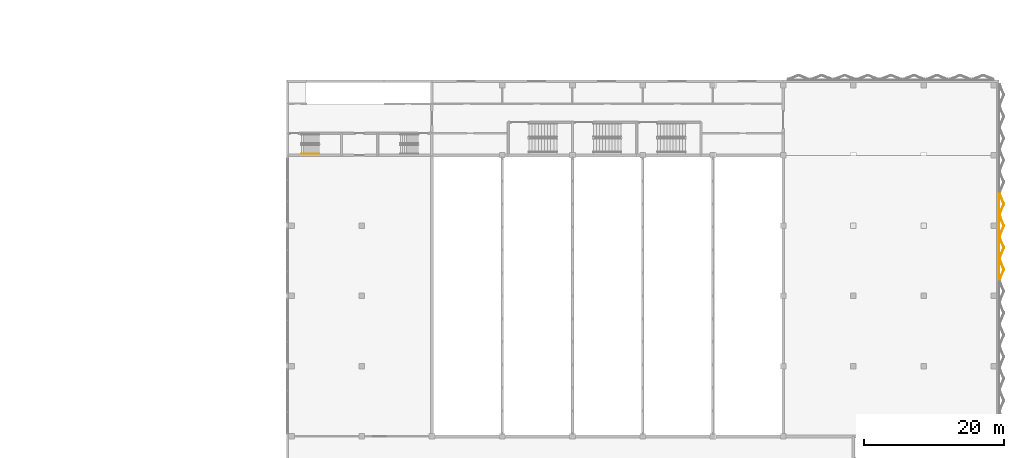
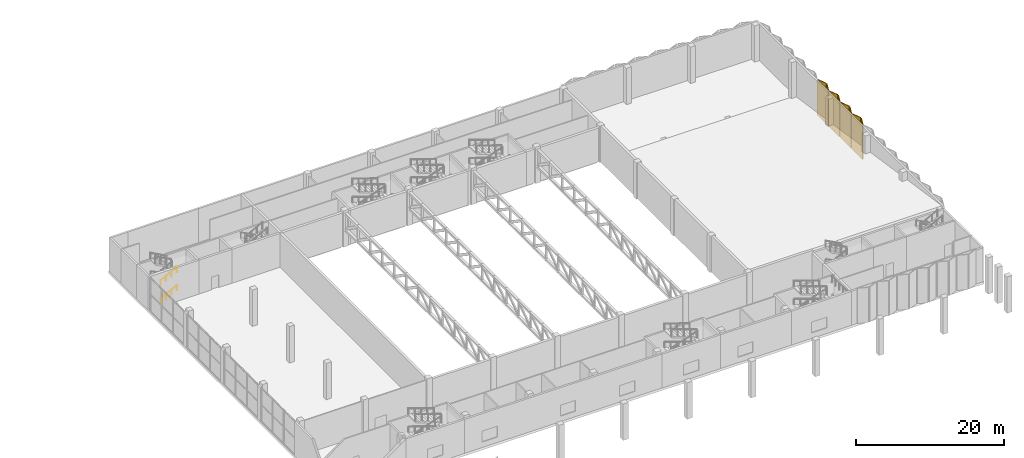
# One storey, part 48 of 51: 12 coverings, 2 railings.
"""IFC4 building model written with IfcOpenShell, lengths in metres."""

from ifc_helpers import new_model, si_unit, direction, frame, origin, origin_2d, place, context, subcontext, project, spatial, rectangle, circle, extrude, material, layer, layer_set, type_object, element, save


model = new_model("IFC4")

# Units and contexts
model_context = context("Model", 3, precision=1e-05, world=origin(), true_north=direction((0.0, 1.0)))
body_context = subcontext(model_context, "Body", "Model", "MODEL_VIEW")
ifc_project = project(units=[si_unit("LENGTHUNIT", "METRE"), si_unit("AREAUNIT", "SQUARE_METRE"), si_unit("VOLUMEUNIT", "CUBIC_METRE"), si_unit("PLANEANGLEUNIT", "RADIAN"), si_unit("MASSUNIT", "GRAM", prefix="KILO")], contexts=[model_context])

# Site, building, storey
site_placement = place(None, origin())
site = spatial("IfcSite", under=ifc_project, at=site_placement, CompositionType="ELEMENT")
building_placement = place(site_placement, origin())
building = spatial("IfcBuilding", under=site, at=building_placement, Name="Jabali Bay Hotel Tower and Convention Centre", CompositionType="ELEMENT")
storey_placement = place(building_placement, frame((0.0, 0.0, 9.0)))
storey = spatial("IfcBuildingStorey", under=building, at=storey_placement, Name="L01", CompositionType="ELEMENT", Elevation=9.0)

# Coverings
ifc_material_1 = material(Name="Precast concrete C40/50", Category="concrete")
ifc_layer_1 = layer(ifc_material_1, 0.1201171875)
ifc_layer_set_1 = layer_set([ifc_layer_1], Name="Precast concrete C40/50")
covering_type_1 = type_object("IfcCoveringType", Name="CC Relief blade 3000 x 5800", PredefinedType="CLADDING", material=ifc_layer_set_1)
for number, where, z_axis, x_axis, name in (
    (1, (251.8017578125, 83.010498046875, 0.10009765625), (0.0, 0.0, 1.0), (0.371390668473, 0.928476694038, 0.0), "CC relief panel E8 blade 1"),
    (2, (251.8017578125, 84.530517578125, 0.10009765625), (0.0, 0.0, 1.0), (0.371390668473, -0.928476694038, 0.0), "CC relief panel E8 blade 2"),
    (3, (251.8017578125, 86.119384765625, 0.10009765625), (0.0, 0.0, 1.0), (0.371390668473, 0.928476694038, 0.0), "CC relief panel E9 blade 1"),
    (4, (251.8017578125, 87.639404296875, 0.10009765625), (0.0, 0.0, 1.0), (0.371390668473, -0.928476694038, 0.0), "CC relief panel E9 blade 2"),
    (5, (251.8017578125, 89.228271484375, 0.10009765625), (0.0, 0.0, 1.0), (0.371390668473, 0.928476694038, 0.0), "CC relief panel E10 blade 1"),
    (6, (251.8017578125, 90.748291015625, 0.10009765625), (0.0, 0.0, 1.0), (0.371390668473, -0.928476694038, 0.0), "CC relief panel E10 blade 2"),
    (7, (251.8017578125, 92.337158203125, 0.10009765625), (0.0, 0.0, 1.0), (0.371390668473, 0.928476694038, 0.0), "CC relief panel E11 blade 1"),
    (8, (251.8017578125, 93.857177734375, 0.10009765625), (0.0, 0.0, 1.0), (0.371390668473, -0.928476694038, 0.0), "CC relief panel E11 blade 2"),
):
    element("IfcCovering", number, at=place(storey_placement, frame(where, z_axis=z_axis, x_axis=x_axis)), inside=storey, type_object=covering_type_1, Name=name, PredefinedType="CLADDING", context=body_context, shape_type="SweptSolid", body=[
        extrude(rectangle(XDim=1.486328125, YDim=0.1201171875, at=origin_2d()), origin(), (0.0, 0.0, 1.0), 5.800048828125),
    ])
ifc_layer_2 = layer(ifc_material_1, 0.080078125)
ifc_layer_set_2 = layer_set([ifc_layer_2], Name="Precast concrete C40/50")
covering_type_2 = type_object("IfcCoveringType", Name="CC Relief panel 3000 x 5800", PredefinedType="CLADDING", material=ifc_layer_set_2)
for number, where, z_axis, x_axis, name in (
    (9, (251.43994140625, 83.7705078125, 0.10009765625), (0.0, 0.0, 1.0), (1.0, 0.0, 0.0), "CC relief panel E8"),
    (10, (251.43994140625, 86.87939453125, 0.10009765625), (0.0, 0.0, 1.0), (1.0, 0.0, 0.0), "CC relief panel E9"),
    (11, (251.43994140625, 89.98828125, 0.10009765625), (0.0, 0.0, 1.0), (1.0, 0.0, 0.0), "CC relief panel E10"),
    (12, (251.43994140625, 93.09716796875, 0.10009765625), (0.0, 0.0, 1.0), (1.0, 0.0, 0.0), "CC relief panel E11"),
):
    element("IfcCovering", number, at=place(storey_placement, frame(where, z_axis=z_axis, x_axis=x_axis)), inside=storey, type_object=covering_type_2, Name=name, PredefinedType="CLADDING", context=body_context, shape_type="SweptSolid", body=[
        extrude(rectangle(XDim=0.080078125, YDim=3.0, at=origin_2d()), origin(), (0.0, 0.0, 1.0), 5.800048828125),
    ])

# Railings
ifc_material_2 = material(Name="Stainless steel 304", Category="steel")
railing_type = type_object("IfcRailingType", Name="CC Stair Handrail 900", PredefinedType="HANDRAIL", material=ifc_material_2)
for number, where, name in (
    (13, (152.10009765625, 100.22509765625, 0.14990234375), "L01 CC-STWA stair handrail 1"),
    (14, (152.10009765625, 100.22509765625, 3.14990234375), "L01 CC-STWA stair handrail 3"),
):
    element("IfcRailing", number, at=place(storey_placement, frame(where)), inside=storey, type_object=railing_type, Name=name, PredefinedType="HANDRAIL", context=body_context, shape_type="SweptSolid", body=[
        extrude(circle(Radius=0.02392578125, at=origin_2d()), frame((0.0, 0.0, 0.8759765625), z_axis=(0.881467274426, 0.0, 0.472245110209), x_axis=(0.0, 1.0, 0.0)), (0.0, 0.0, 1.0), 2.85888671875),
        extrude(circle(Radius=0.02099609375, at=origin_2d()), origin(), (0.0, 0.0, 1.0), 0.851806640625),
        extrude(circle(Radius=0.02099609375, at=origin_2d()), frame((0.840087890625, 0.0, 0.449951171875)), (0.0, 0.0, 1.0), 0.851806640625),
        extrude(circle(Radius=0.02099609375, at=origin_2d()), frame((1.679931640625, 0.0, 0.900146484375)), (0.0, 0.0, 1.0), 0.851806640625),
        extrude(circle(Radius=0.02099609375, at=origin_2d()), frame((2.52001953125, 0.0, 1.35009765625)), (0.0, 0.0, 1.0), 0.851806640625),
    ])

save(model, "model.ifc")
